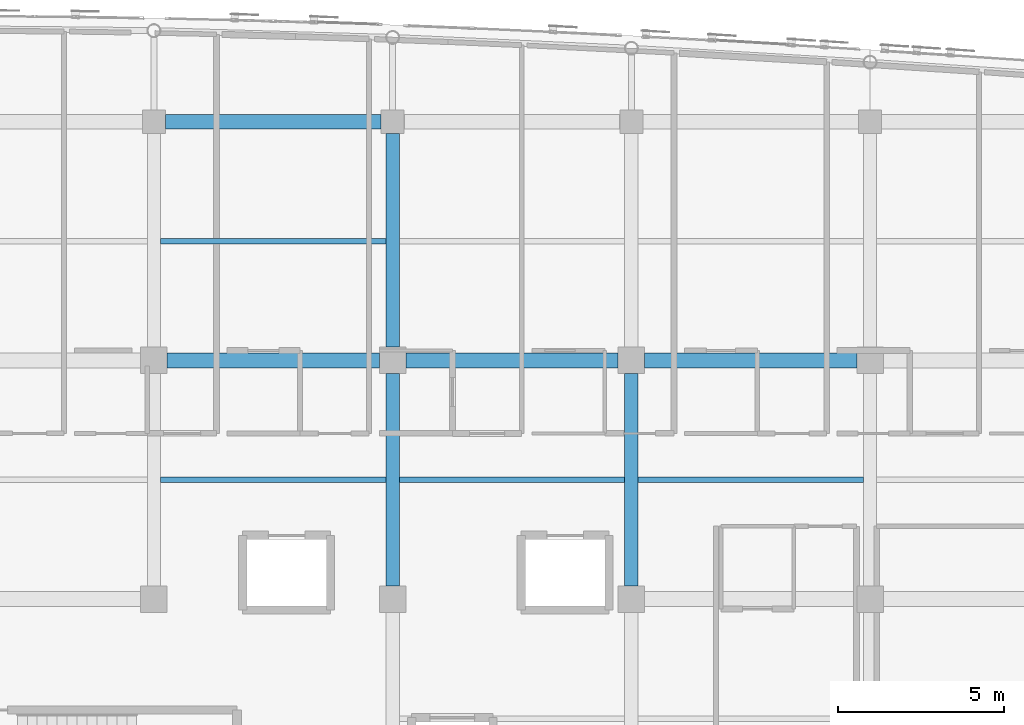
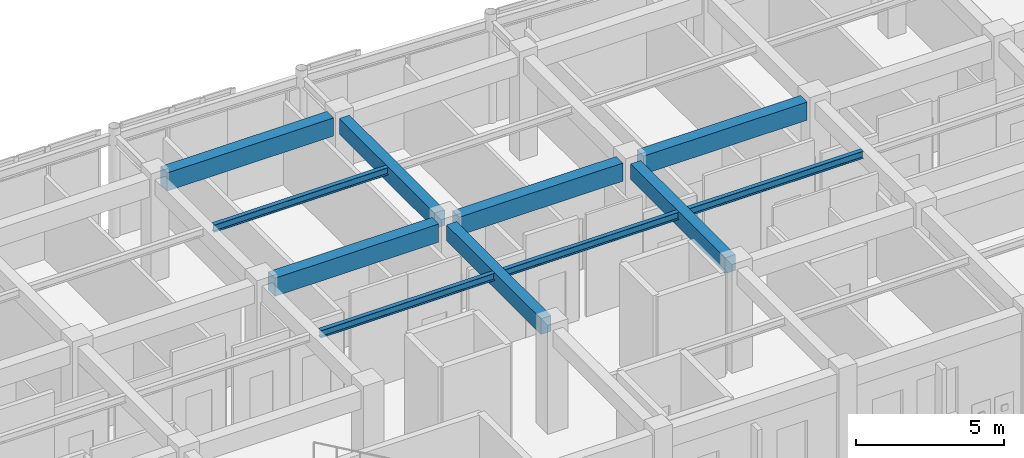
# One storey, part 40 of 106: 11 beams.
"""IFC4 building model written with IfcOpenShell, lengths in metres."""

from ifc_helpers import new_model, si_unit, direction, frame, origin, origin_2d, place, context, subcontext, project, spatial, rectangle, i_section, extrude, material, material_profile, profile_set, type_object, element, save


model = new_model("IFC4")

# Units and contexts
model_context = context("Model", 3, precision=1e-05, world=origin(), true_north=direction((0.0, 1.0)))
body_context = subcontext(model_context, "Body", "Model", "MODEL_VIEW")
ifc_project = project(units=[si_unit("LENGTHUNIT", "METRE"), si_unit("AREAUNIT", "SQUARE_METRE"), si_unit("VOLUMEUNIT", "CUBIC_METRE"), si_unit("PLANEANGLEUNIT", "RADIAN"), si_unit("MASSUNIT", "GRAM", prefix="KILO")], contexts=[model_context])

# Site, building, storey
site_placement = place(None, origin())
site = spatial("IfcSite", under=ifc_project, at=site_placement, CompositionType="ELEMENT")
building_placement = place(site_placement, origin())
building = spatial("IfcBuilding", under=site, at=building_placement, Name="Carrowvane Square Congress Hotel", CompositionType="ELEMENT")
storey_placement = place(building_placement, frame((0.0, 0.0, 10.5)))
storey = spatial("IfcBuildingStorey", under=building, at=storey_placement, Name="L02", CompositionType="ELEMENT", Elevation=10.5)

# Beams
ifc_material_1 = material(Name="Concrete C35/45", Category="concrete")
ifc_material_profile_1 = material_profile(ifc_material_1, rectangle(XDim=0.39990234375, YDim=0.64990234375, at=origin_2d()), Name="RC 400x650")
ifc_profile_set_1 = profile_set([ifc_material_profile_1], Name="Concrete C35/45")
beam_type_1 = type_object("IfcBeamType", Name="BM-RC-400x650", PredefinedType="BEAM", material=ifc_profile_set_1)
beam_1_placement = place(storey_placement, frame((112.39990234375, 99.39990234375, 3.89501953125), z_axis=(0.0, 1.0, 0.0), x_axis=(-1.0, 0.0, 0.0)))
element("IfcBeam", 1, at=beam_1_placement, inside=storey, type_object=beam_type_1, Name="L03 girder 15/P-Q", PredefinedType="BEAM", context=body_context, shape_type="SweptSolid", body=[
    extrude(rectangle(XDim=0.39990234375, YDim=0.64990234375, at=origin_2d()), origin(), (0.0, 0.0, 1.0), 6.400146484375),
])
beam_2_placement = place(storey_placement, frame((112.39990234375, 106.60009765625, 3.89501953125), z_axis=(0.0, 1.0, 0.0), x_axis=(-1.0, 0.0, 0.0)))
element("IfcBeam", 2, at=beam_2_placement, inside=storey, type_object=beam_type_1, Name="L03 girder 15/Q-R", PredefinedType="BEAM", context=body_context, shape_type="SweptSolid", body=[
    extrude(rectangle(XDim=0.39990234375, YDim=0.64990234375, at=origin_2d()), origin(), (0.0, 0.0, 1.0), 6.449951171875),
])
beam_3_placement = place(storey_placement, frame((119.60009765625, 99.39990234375, 3.89501953125), z_axis=(0.0, 1.0, 0.0), x_axis=(-1.0, 0.0, 0.0)))
element("IfcBeam", 3, at=beam_3_placement, inside=storey, type_object=beam_type_1, Name="L03 girder 16/P-Q", PredefinedType="BEAM", context=body_context, shape_type="SweptSolid", body=[
    extrude(rectangle(XDim=0.39990234375, YDim=0.64990234375, at=origin_2d()), origin(), (0.0, 0.0, 1.0), 6.400146484375),
])
ifc_material_2 = material(Name="Concrete C35/45", Category="concrete")
ifc_material_profile_2 = material_profile(ifc_material_2, rectangle(XDim=0.449951171875, YDim=0.75, at=origin_2d()), Name="RC 450x750")
ifc_profile_set_2 = profile_set([ifc_material_profile_2], Name="Concrete C35/45")
beam_type_2 = type_object("IfcBeamType", Name="BM-RC-450x750", PredefinedType="USERDEFINED", material=ifc_profile_set_2)
for number, where, z_axis, x_axis, name in (
    (4, (105.60009765625, 106.199951171875, 3.844970703125), (1.0, 0.0, 0.0), (0.0, 1.0, 0.0), "L03 girder Q/14-15"),
    (5, (112.800048828125, 106.199951171875, 3.844970703125), (1.0, 0.0, 0.0), (0.0, 1.0, 0.0), "L03 girder Q/15-16"),
    (6, (120.0, 106.199951171875, 3.844970703125), (1.0, 0.0, 0.0), (0.0, 1.0, 0.0), "L03 girder Q/16-17"),
):
    element("IfcBeam", number, at=place(storey_placement, frame(where, z_axis=z_axis, x_axis=x_axis)), inside=storey, type_object=beam_type_2, Name=name, ObjectType="GIRDER", PredefinedType="USERDEFINED", context=body_context, shape_type="SweptSolid", body=[
        extrude(rectangle(XDim=0.449951171875, YDim=0.75, at=origin_2d()), origin(), (0.0, 0.0, 1.0), 6.39990234375),
    ])
beam_4_placement = place(storey_placement, frame((105.550048828125, 113.39990234375, 3.844970703125), z_axis=(1.0, 0.0, 0.0), x_axis=(0.0, 1.0, 0.0)))
element("IfcBeam", 7, at=beam_4_placement, inside=storey, type_object=beam_type_2, Name="L03 girder R/14-15", ObjectType="GIRDER", PredefinedType="USERDEFINED", context=body_context, shape_type="SweptSolid", body=[
    extrude(rectangle(XDim=0.449951171875, YDim=0.75, at=origin_2d()), origin(), (0.0, 0.0, 1.0), 6.5),
])
ifc_material_3 = material(Name="Steel S355", Category="steel")
ifc_material_profile_3 = material_profile(ifc_material_3, i_section(OverallWidth=0.165771484375, OverallDepth=0.306640625, WebThickness=0.006591796875, FlangeThickness=0.01171875, FilletRadius=0.0087890625, at=origin_2d()), Name="UKB 305x165x46")
ifc_profile_set_3 = profile_set([ifc_material_profile_3], Name="Steel S355")
beam_type_3 = type_object("IfcBeamType", Name="BM-ST-UKB305", PredefinedType="JOIST", material=ifc_profile_set_3)
for number, where, z_axis, x_axis, name in (
    (8, (105.39990234375, 102.60009765625, 4.066650390625), (1.0, 0.0, 0.0), (0.0, 1.0, 0.0), "L03 secondary joist 14-15"),
    (9, (105.39990234375, 109.800048828125, 4.066650390625), (1.0, 0.0, 0.0), (0.0, 1.0, 0.0), "L03 secondary joist 14-15"),
):
    element("IfcBeam", number, at=place(storey_placement, frame(where, z_axis=z_axis, x_axis=x_axis)), inside=storey, type_object=beam_type_3, Name=name, PredefinedType="JOIST", context=body_context, shape_type="SweptSolid", body=[
        extrude(i_section(OverallWidth=0.165771484375, OverallDepth=0.306640625, WebThickness=0.006591796875, FlangeThickness=0.01171875, FilletRadius=0.0087890625, at=origin_2d()), origin(), (0.0, 0.0, 1.0), 6.800048828125),
    ])
beam_5_placement = place(storey_placement, frame((112.60009765625, 102.60009765625, 4.066650390625), z_axis=(1.0, 0.0, 0.0), x_axis=(0.0, 1.0, 0.0)))
element("IfcBeam", 10, at=beam_5_placement, inside=storey, type_object=beam_type_3, Name="L03 secondary joist 15-16", PredefinedType="JOIST", context=body_context, shape_type="SweptSolid", body=[
    extrude(i_section(OverallWidth=0.165771484375, OverallDepth=0.306640625, WebThickness=0.006591796875, FlangeThickness=0.01171875, FilletRadius=0.0087890625, at=origin_2d()), origin(), (0.0, 0.0, 1.0), 6.7998046875),
])
beam_6_placement = place(storey_placement, frame((119.800048828125, 102.60009765625, 4.066650390625), z_axis=(1.0, 0.0, 0.0), x_axis=(0.0, 1.0, 0.0)))
element("IfcBeam", 11, at=beam_6_placement, inside=storey, type_object=beam_type_3, Name="L03 secondary joist 16-17", PredefinedType="JOIST", context=body_context, shape_type="SweptSolid", body=[
    extrude(i_section(OverallWidth=0.165771484375, OverallDepth=0.306640625, WebThickness=0.006591796875, FlangeThickness=0.01171875, FilletRadius=0.0087890625, at=origin_2d()), origin(), (0.0, 0.0, 1.0), 6.800048828125),
])

save(model, "model.ifc")
